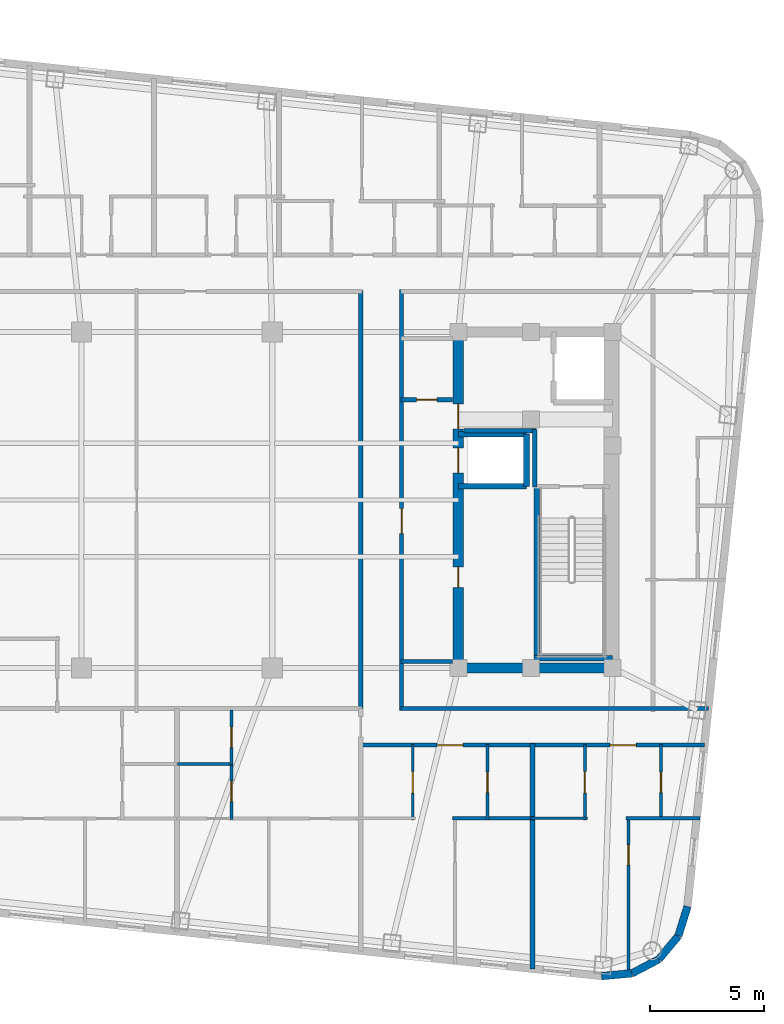
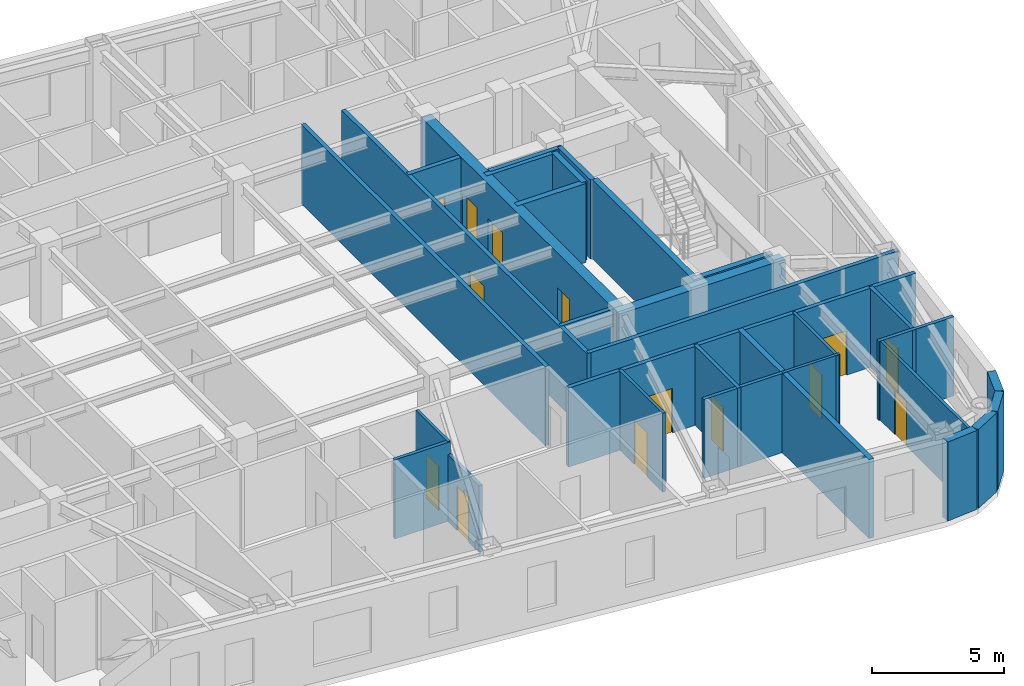
# One storey, part 6 of 11: 31 walls, 14 doors, 14 openings.
"""IFC4 building model written with IfcOpenShell, lengths in metres."""

import ifcopenshell
import ifcopenshell.guid

model = None  # the IFC model being written
_history = None  # IfcOwnerHistory: only IFC2X3 demands one
_inside = {}  # id of a spatial element -> (the spatial element, [elements in it])
_under = {}  # id of a project, library or spatial element -> (it, [spatial elements below it])
_declared = {}  # id of a project -> (the project, [libraries it declares])
_typed = {}  # id of a type object -> (the type object, [elements of that type])
_made_of = {}  # id of a material, layer set ... -> (it, [elements and type objects made of it])


def new_model(schema):
    """Start an empty IFC model of exactly this schema.

    Asked for "IFC4X3", IfcOpenShell would pick the latest addendum, in which some entities
    have other attributes; the version numbers below select the first issue.
    IFC2X3 requires an IfcOwnerHistory on every rooted entity: one is made here for all.
    """
    global model, _history
    if schema == "IFC4X3":
        model = ifcopenshell.file(schema_version=(4, 3, 0, 0))
    else:
        model = ifcopenshell.file(schema=schema)
    _inside.clear()
    _under.clear()
    _declared.clear()
    _typed.clear()
    _made_of.clear()
    _history = None
    if model.schema == "IFC2X3":
        org = make("IfcOrganization", Name="unknown")
        user = make(
            "IfcPersonAndOrganization",
            ThePerson=make("IfcPerson", FamilyName="unknown"),
            TheOrganization=org,
        )
        app = make(
            "IfcApplication",
            ApplicationDeveloper=org,
            Version="unknown",
            ApplicationFullName="unknown",
            ApplicationIdentifier="unknown",
        )
        _history = make(
            "IfcOwnerHistory",
            OwningUser=user,
            OwningApplication=app,
            ChangeAction="ADDED",
            CreationDate=0,
        )
    return model


def make(cls, **values):
    """One entity of the class cls with the attributes given. An attribute that is None is left unset."""
    return model.create_entity(
        cls, **{name: value for name, value in values.items() if value is not None}
    )


def rooted(cls, **values):
    """An entity with a GlobalId (a new one), such as an element, a storey or a relation."""
    return make(cls, GlobalId=ifcopenshell.guid.new(), OwnerHistory=_history, **values)


def si_unit(unit_type, name, prefix=None):
    """IfcSIUnit, for example si_unit("LENGTHUNIT", "METRE", prefix="MILLI")."""
    return make("IfcSIUnit", UnitType=unit_type, Prefix=prefix, Name=name)


def assignment(units):
    """IfcUnitAssignment: the units of a project."""
    return None if units is None else make("IfcUnitAssignment", Units=units)


def point(xyz):
    """IfcCartesianPoint."""
    return None if xyz is None else make("IfcCartesianPoint", Coordinates=xyz)


def direction(xyz):
    """IfcDirection."""
    return None if xyz is None else make("IfcDirection", DirectionRatios=xyz)


def frame(location, z_axis=None, x_axis=None):
    """IfcAxis2Placement3D, a coordinate frame: its origin and axes. An axis left out is left unset."""
    return make(
        "IfcAxis2Placement3D",
        Location=point(location),
        Axis=direction(z_axis),
        RefDirection=direction(x_axis),
    )


def frame_2d(location, x_axis=None):
    """IfcAxis2Placement2D, a coordinate frame in the plane: its origin and x axis."""
    return make(
        "IfcAxis2Placement2D", Location=point(location), RefDirection=direction(x_axis)
    )


def origin():
    """The frame at (0, 0, 0) with its axes left unset."""
    return frame((0.0, 0.0, 0.0))


def place(relative_to, where):
    """IfcLocalPlacement: puts the frame where relative to a parent placement (None: the world)."""
    return make(
        "IfcLocalPlacement", PlacementRelTo=relative_to, RelativePlacement=where
    )


def context(
    kind, dimensions, precision=None, world=None, true_north=None, identifier=None
):
    """IfcGeometricRepresentationContext, for example the 3D "Model" context."""
    return make(
        "IfcGeometricRepresentationContext",
        ContextIdentifier=identifier,
        ContextType=kind,
        CoordinateSpaceDimension=dimensions,
        Precision=precision,
        WorldCoordinateSystem=world,
        TrueNorth=true_north,
    )


def subcontext(parent, identifier, kind, view, scale=None):
    """IfcGeometricRepresentationSubContext, for example "Body" below "Model"."""
    return make(
        "IfcGeometricRepresentationSubContext",
        ContextIdentifier=identifier,
        ContextType=kind,
        ParentContext=parent,
        TargetScale=scale,
        TargetView=view,
    )


def project(units=None, contexts=None):
    """IfcProject with its units and contexts."""
    return rooted(
        "IfcProject",
        Name="project",
        RepresentationContexts=contexts,
        UnitsInContext=assignment(units),
    )


def spatial(cls, under=None, at=None, **own):
    """A site, building, storey or space (cls), placed at a placement, below another one or the project."""
    s = rooted(cls, ObjectPlacement=at, **own)
    if under is not None:
        _under.setdefault(under.id(), (under, []))[1].append(s)
    return s


def profile(cls, at=None, kind="AREA", **sizes):
    """A parametric profile (cls). Its sizes go by their IFC names, for example OverallWidth=200.0."""
    return make(cls, ProfileType=kind, Position=at, **sizes)


def rectangle(**sizes):
    """IfcRectangleProfileDef."""
    return profile("IfcRectangleProfileDef", **sizes)


def extrude(swept, where, along, depth):
    """IfcExtrudedAreaSolid: the profile swept, set in the frame where, extruded along a direction by depth."""
    return make(
        "IfcExtrudedAreaSolid",
        SweptArea=swept,
        Position=where,
        ExtrudedDirection=direction(along),
        Depth=depth,
    )


def shape(context_of_items, identifier, shape_type, items):
    """IfcShapeRepresentation: the items that make up one representation, for example the "Body"."""
    return make(
        "IfcShapeRepresentation",
        ContextOfItems=context_of_items,
        RepresentationIdentifier=identifier,
        RepresentationType=shape_type,
        Items=items,
    )


def material(Name=None, Category=None):
    """IfcMaterial."""
    return make("IfcMaterial", Name=Name, Category=Category)


def layer(
    of_material, thickness, ventilated=None, Name=None, Category=None, Priority=None
):
    """IfcMaterialLayer: one layer of a wall or slab, of a material (None: an air gap)."""
    return make(
        "IfcMaterialLayer",
        Material=of_material,
        LayerThickness=thickness,
        IsVentilated=ventilated,
        Name=Name,
        Category=Category,
        Priority=Priority,
    )


def layer_set(layers, Name=None):
    """IfcMaterialLayerSet."""
    return make("IfcMaterialLayerSet", MaterialLayers=layers, LayerSetName=Name)


def made_of(thing, what):
    """Note that an element or type object is made of a material, layer set ...; save() writes the relation."""
    if what is not None:
        _made_of.setdefault(what.id(), (what, []))[1].append(thing)
    return thing


def type_object(cls, material=None, **own):
    """A type object (cls), such as IfcWallType, which elements share."""
    return made_of(rooted(cls, **own), material)


def element(
    cls,
    number,
    at=None,
    inside=None,
    cuts=None,
    type_object=None,
    material=None,
    context=None,
    identifier="Body",
    shape_type=None,
    held_by="IfcProductDefinitionShape",
    body=None,
    shapes=None,
    **own,
):
    """One element of the class cls, such as IfcWall. Its Tag is "e" and its number.

    at: its placement. inside: the storey or other place that contains it. cuts: it is an
    opening in that element (IfcRelVoidsElement). A single representation is given by context,
    identifier, shape_type and body (its items); several are given by shapes. held_by: the class
    of the entity that holds the representations. save() writes the other relations.
    """
    e = rooted(cls, Tag="e%d" % number, ObjectPlacement=at, **own)
    if body is not None:
        shapes = [shape(context, identifier, shape_type, body)]
    if shapes is not None:
        e.Representation = make(held_by, Representations=shapes)
    if inside is not None:
        _inside.setdefault(inside.id(), (inside, []))[1].append(e)
    if cuts is not None:
        rooted(
            "IfcRelVoidsElement", RelatingBuildingElement=cuts, RelatedOpeningElement=e
        )
    if type_object is not None:
        _typed.setdefault(type_object.id(), (type_object, []))[1].append(e)
    return made_of(e, material)


def fill(opening, filler):
    """IfcRelFillsElement: the door or window that sits in an opening."""
    return rooted(
        "IfcRelFillsElement",
        RelatingOpeningElement=opening,
        RelatedBuildingElement=filler,
    )


def aggregate(whole, parts):
    """IfcRelAggregates: a whole, such as a stair, and the parts it consists of."""
    return rooted("IfcRelAggregates", RelatingObject=whole, RelatedObjects=parts)


def save(model, path):
    """Write the relations noted so far, then the file.

    IfcRelAggregates (storeys below a building ...), IfcRelContainedInSpatialStructure (elements
    in a storey), IfcRelDefinesByType, IfcRelAssociatesMaterial and IfcRelDeclares: one each for
    every whole, place, type object, material and project.
    """
    for whole, parts in _under.values():
        aggregate(whole, parts)
    for where, things in _inside.values():
        rooted(
            "IfcRelContainedInSpatialStructure",
            RelatedElements=things,
            RelatingStructure=where,
        )
    for kind, things in _typed.values():
        rooted("IfcRelDefinesByType", RelatedObjects=things, RelatingType=kind)
    for what, things in _made_of.values():
        rooted("IfcRelAssociatesMaterial", RelatedObjects=things, RelatingMaterial=what)
    for by, libraries in _declared.values():
        rooted("IfcRelDeclares", RelatingContext=by, RelatedDefinitions=libraries)
    model.write(path)


model = new_model("IFC4")

# Units and contexts
model_context = context("Model", 3, precision=1e-05, world=origin(), true_north=direction((0.0, 1.0)))
body_context = subcontext(model_context, "Body", "Model", "MODEL_VIEW")
ifc_project = project(units=[si_unit("LENGTHUNIT", "METRE"), si_unit("AREAUNIT", "SQUARE_METRE"), si_unit("VOLUMEUNIT", "CUBIC_METRE"), si_unit("PLANEANGLEUNIT", "RADIAN"), si_unit("MASSUNIT", "GRAM", prefix="KILO")], contexts=[model_context])

# Site, building, storey
site_placement = place(None, origin())
site = spatial("IfcSite", under=ifc_project, at=site_placement, CompositionType="ELEMENT")
building_placement = place(site_placement, origin())
building = spatial("IfcBuilding", under=site, at=building_placement, Name="Voryun Gate Residences", CompositionType="ELEMENT")
storey_placement = place(building_placement, frame((0.0, 0.0, 283.39990234375)))
storey = spatial("IfcBuildingStorey", under=building, at=storey_placement, Name="L70", CompositionType="ELEMENT", Elevation=283.39990234375)

# Wall
ifc_material_1 = material(Name="Concrete C50/60", Category="concrete")
ifc_layer_1 = layer(ifc_material_1, 0.449951171875, Name="CW_CORE_450")
ifc_layer_set_1 = layer_set([ifc_layer_1], Name="Concrete C50/60")
wall_type_1 = type_object("IfcWallType", Name="CW_CORE_450", PredefinedType="SHEAR", material=ifc_layer_set_1)
wall_1_placement = place(storey_placement, frame((12.175048828125, -7.39990234375, 0.0), z_axis=(0.0, 0.0, 1.0), x_axis=(1.0, 0.0, 0.0)))
element("IfcWall", 1, at=wall_1_placement, inside=storey, type_object=wall_type_1, Name="L70 Core shear wall CW-L70-ES", PredefinedType="SHEAR", context=body_context, shape_type="SweptSolid", body=[
    extrude(rectangle(XDim=7.25, YDim=0.449951171875, at=frame_2d((3.625, 0.0))), origin(), (0.0, 0.0, 1.0), 3.650146484375),
])

# Wall, openings, doors
wall_2_placement = place(storey_placement, frame((12.39990234375, -7.39990234375, 0.0), z_axis=(0.0, 0.0, 1.0), x_axis=(0.0, 1.0, 0.0)))
wall_2 = element("IfcWall", 2, at=wall_2_placement, inside=storey, type_object=wall_type_1, Name="L70 Core shear wall CW-L70-EW", PredefinedType="SHEAR", context=body_context, shape_type="SweptSolid", body=[
    extrude(rectangle(XDim=14.7998046875, YDim=0.449951171875, at=frame_2d((7.39990234375, 0.0))), origin(), (0.0, 0.0, 1.0), 3.650146484375),
])
opening_1_placement = place(wall_2_placement, frame((8.60009765625, 0.0, 0.0)))
opening_1 = element("IfcOpeningElement", 3, at=opening_1_placement, cuts=wall_2, Name="Opening LD2", PredefinedType="OPENING", context=body_context, shape_type="SweptSolid", body=[
    extrude(rectangle(XDim=1.10009765625, YDim=2.050048828125, at=frame_2d((0.550048828125, 1.02490234375))), frame((0.0, 0.235107421875, 0.0), z_axis=(0.0, -1.0, 0.0), x_axis=(1.0, 0.0, 0.0)), (0.0, 0.0, 1.0), 0.469970703125),
])
opening_2_placement = place(wall_2_placement, frame((10.530029296875, 0.0, 0.0)))
opening_2 = element("IfcOpeningElement", 4, at=opening_2_placement, cuts=wall_2, Name="Opening D-FD60-2", PredefinedType="OPENING", context=body_context, shape_type="SweptSolid", body=[
    extrude(rectangle(XDim=1.10009765625, YDim=2.050048828125, at=frame_2d((0.550048828125, 1.02490234375))), frame((0.0, 0.235107421875, 0.0), z_axis=(0.0, -1.0, 0.0), x_axis=(1.0, 0.0, 0.0)), (0.0, 0.0, 1.0), 0.469970703125),
])
opening_3_placement = place(wall_2_placement, frame((3.550048828125, 0.0, 0.0)))
opening_3 = element("IfcOpeningElement", 5, at=opening_3_placement, cuts=wall_2, Name="Opening D-FD60-4", PredefinedType="OPENING", context=body_context, shape_type="SweptSolid", body=[
    extrude(rectangle(XDim=0.89990234375, YDim=2.050048828125, at=frame_2d((0.449951171875, 1.02490234375))), frame((0.0, 0.235107421875, 0.0), z_axis=(0.0, -1.0, 0.0), x_axis=(1.0, 0.0, 0.0)), (0.0, 0.0, 1.0), 0.469970703125),
])
ifc_material_2 = material(Name="Painted steel fire door", Category="steel")
door_type_1 = type_object("IfcDoorType", Name="DR_FD60_FFLOB_1100", OperationType="NOTDEFINED", PredefinedType="DOOR", material=ifc_material_2)
door_1_placement = place(opening_2_placement, origin())
door_1 = element("IfcDoor", 6, at=door_1_placement, inside=storey, type_object=door_type_1, Name="Door DR-L70-CLOB-E", OperationType="SINGLE_SWING_RIGHT", OverallHeight=2.050048828125, OverallWidth=1.10009765625, PredefinedType="DOOR", context=body_context, shape_type="SweptSolid", body=[
    extrude(rectangle(XDim=1.10009765625, YDim=2.050048828125, at=frame_2d((0.550048828125, 1.02490234375))), frame((0.0, 0.02490234375, 0.0), z_axis=(0.0, -1.0, 0.0), x_axis=(1.0, 0.0, 0.0)), (0.0, 0.0, 1.0), 0.050048828125),
])
fill(opening_2, door_1)
ifc_material_3 = material(Name="Painted steel fire door", Category="steel")
door_type_2 = type_object("IfcDoorType", Name="DR_FD60_RISER_900", OperationType="NOTDEFINED", PredefinedType="DOOR", material=ifc_material_3)
door_2_placement = place(opening_3_placement, origin())
door_2 = element("IfcDoor", 7, at=door_2_placement, inside=storey, type_object=door_type_2, Name="Door DR-L70-RECE-HI", OperationType="SINGLE_SWING_RIGHT", OverallHeight=2.050048828125, OverallWidth=0.89990234375, PredefinedType="DOOR", context=body_context, shape_type="SweptSolid", body=[
    extrude(rectangle(XDim=0.89990234375, YDim=2.050048828125, at=frame_2d((0.449951171875, 1.02490234375))), frame((0.0, 0.02490234375, 0.0), z_axis=(0.0, -1.0, 0.0), x_axis=(1.0, 0.0, 0.0)), (0.0, 0.0, 1.0), 0.050048828125),
])
fill(opening_3, door_2)
ifc_material_4 = material(Name="Anodised aluminium", Category="aluminium")
door_type_3 = type_object("IfcDoorType", Name="DR_LD_PASS_1100", OperationType="NOTDEFINED", PredefinedType="DOOR", material=ifc_material_4)
door_3_placement = place(opening_1_placement, origin())
door_3 = element("IfcDoor", 8, at=door_3_placement, inside=storey, type_object=door_type_3, Name="Lift EL-P8 sliding landing door L70", OperationType="SLIDING_TO_LEFT", OverallHeight=2.050048828125, OverallWidth=1.10009765625, PredefinedType="DOOR", context=body_context, shape_type="SweptSolid", body=[
    extrude(rectangle(XDim=1.10009765625, YDim=2.050048828125, at=frame_2d((0.550048828125, 1.02490234375))), frame((0.0, 0.02490234375, 0.0), z_axis=(0.0, -1.0, 0.0), x_axis=(1.0, 0.0, 0.0)), (0.0, 0.0, 1.0), 0.050048828125),
])
fill(opening_1, door_3)

# Wall
ifc_material_5 = material(Name="Gypsum acoustic fireboard")
ifc_layer_2 = layer(ifc_material_5, 0.179931640625, Name="W_CORR_RATED_180")
ifc_layer_set_2 = layer_set([ifc_layer_2], Name="Gypsum acoustic fireboard")
wall_type_2 = type_object("IfcWallType", Name="W_CORR_RATED_180", PredefinedType="PARTITIONING", material=ifc_layer_set_2)
wall_3_placement = place(storey_placement, frame((9.8798828125, -7.1201171875, 0.0), z_axis=(0.0, 0.0, 1.0), x_axis=(1.0, 0.0, 0.0)))
element("IfcWall", 9, at=wall_3_placement, inside=storey, type_object=wall_type_2, Name="Partition wall WP-L70-PLBS-E", PredefinedType="PARTITIONING", context=body_context, shape_type="SweptSolid", body=[
    extrude(rectangle(XDim=2.27001953125, YDim=0.179931640625, at=frame_2d((1.135009765625, 0.0))), origin(), (0.0, 0.0, 1.0), 3.650146484375),
])

# Wall, opening, door
wall_4_placement = place(storey_placement, frame((9.89990234375, -9.280029296875, 0.0), z_axis=(0.0, 0.0, 1.0), x_axis=(0.0, 1.0, 0.0)))
wall_4 = element("IfcWall", 10, at=wall_4_placement, inside=storey, type_object=wall_type_2, Name="Partition wall WP-L70-PLBE-FULL", PredefinedType="PARTITIONING", context=body_context, shape_type="SweptSolid", body=[
    extrude(rectangle(XDim=18.56005859375, YDim=0.179931640625, at=frame_2d((9.280029296875, 0.0))), origin(), (0.0, 0.0, 1.0), 3.650146484375),
])
opening_4_placement = place(wall_4_placement, frame((7.802001953125, 0.0, 0.0)))
opening_4 = element("IfcOpeningElement", 11, at=opening_4_placement, cuts=wall_4, Name="Opening D-FD60-2", PredefinedType="OPENING", context=body_context, shape_type="SweptSolid", body=[
    extrude(rectangle(XDim=1.10009765625, YDim=2.050048828125, at=frame_2d((0.550048828125, 1.02490234375))), frame((0.0, 0.099853515625, 0.0), z_axis=(0.0, -1.0, 0.0), x_axis=(1.0, 0.0, 0.0)), (0.0, 0.0, 1.0), 0.199951171875),
])
door_4_placement = place(opening_4_placement, origin())
door_4 = element("IfcDoor", 12, at=door_4_placement, inside=storey, type_object=door_type_1, Name="Door DR-L70-PLBE-COR", OperationType="SINGLE_SWING_RIGHT", OverallHeight=2.050048828125, OverallWidth=1.10009765625, PredefinedType="DOOR", context=body_context, shape_type="SweptSolid", body=[
    extrude(rectangle(XDim=1.10009765625, YDim=2.050048828125, at=frame_2d((0.550048828125, 1.02490234375))), frame((0.0, 0.02490234375, 0.0), z_axis=(0.0, -1.0, 0.0), x_axis=(1.0, 0.0, 0.0)), (0.0, 0.0, 1.0), 0.050048828125),
])
fill(opening_4, door_4)

# Walls
wall_5_placement = place(storey_placement, frame((9.8798828125, -9.18994140625, 0.0), z_axis=(0.0, 0.0, 1.0), x_axis=(1.0, 0.0, 0.0)))
element("IfcWall", 13, at=wall_5_placement, inside=storey, type_object=wall_type_2, Name="Partition wall WP-L70-CWING-ES", PredefinedType="PARTITIONING", context=body_context, shape_type="SweptSolid", body=[
    extrude(rectangle(XDim=13.531982421875, YDim=0.179931640625, at=frame_2d((6.76611328125, 0.0))), origin(), (0.0, 0.0, 1.0), 3.650146484375),
])
wall_6_placement = place(storey_placement, frame((8.10009765625, -9.22998046875, 0.0), z_axis=(0.0, 0.0, 1.0), x_axis=(0.0, 1.0, 0.0)))
element("IfcWall", 14, at=wall_6_placement, inside=storey, type_object=wall_type_2, Name="Partition wall WP-L70-Z3E", PredefinedType="PARTITIONING", context=body_context, shape_type="SweptSolid", body=[
    extrude(rectangle(XDim=18.4599609375, YDim=0.179931640625, at=frame_2d((9.22998046875, 0.0))), origin(), (0.0, 0.0, 1.0), 3.650146484375),
])

# Wall, openings, doors
wall_7_placement = place(storey_placement, frame((8.080078125, -10.800048828125, 0.0), z_axis=(0.0, 0.0, 1.0), x_axis=(1.0, 0.0, 0.0)))
wall_7 = element("IfcWall", 15, at=wall_7_placement, inside=storey, type_object=wall_type_2, Name="Partition wall WP-L70-SCORR-E", PredefinedType="PARTITIONING", context=body_context, shape_type="SweptSolid", body=[
    extrude(rectangle(XDim=15.16259765625, YDim=0.179931640625, at=frame_2d((7.581298828125, 0.0))), origin(), (0.0, 0.0, 1.0), 3.650146484375),
])
opening_5_placement = place(wall_7_placement, frame((3.382568359375, 0.0, 0.0)))
opening_5 = element("IfcOpeningElement", 16, at=opening_5_placement, cuts=wall_7, Name="Opening D-UNIT-1", PredefinedType="OPENING", context=body_context, shape_type="SweptSolid", body=[
    extrude(rectangle(XDim=1.14990234375, YDim=2.050048828125, at=frame_2d((0.574951171875, 1.02490234375))), frame((0.0, 0.099853515625, 0.0), z_axis=(0.0, -1.0, 0.0), x_axis=(1.0, 0.0, 0.0)), (0.0, 0.0, 1.0), 0.199951171875),
])
opening_6_placement = place(wall_7_placement, frame((10.99560546875, 0.0, 0.0)))
opening_6 = element("IfcOpeningElement", 17, at=opening_6_placement, cuts=wall_7, Name="Opening D-UNIT-1", PredefinedType="OPENING", context=body_context, shape_type="SweptSolid", body=[
    extrude(rectangle(XDim=1.14990234375, YDim=2.050048828125, at=frame_2d((0.574951171875, 1.02490234375))), frame((0.0, 0.099853515625, 0.0), z_axis=(0.0, -1.0, 0.0), x_axis=(1.0, 0.0, 0.0)), (0.0, 0.0, 1.0), 0.199951171875),
])
ifc_material_6 = material(Name="Armoured timber-clad fire door", Category="wood")
door_type_4 = type_object("IfcDoorType", Name="DR_UNIT_ENTRY_1150", OperationType="NOTDEFINED", PredefinedType="DOOR", material=ifc_material_6)
door_5_placement = place(opening_5_placement, origin())
door_5 = element("IfcDoor", 18, at=door_5_placement, inside=storey, type_object=door_type_4, Name="Door DR-L70-SENT-6", OperationType="SINGLE_SWING_LEFT", OverallHeight=2.050048828125, OverallWidth=1.14990234375, PredefinedType="DOOR", context=body_context, shape_type="SweptSolid", body=[
    extrude(rectangle(XDim=1.14990234375, YDim=2.050048828125, at=frame_2d((0.574951171875, 1.02490234375))), frame((0.0, 0.02490234375, 0.0), z_axis=(0.0, -1.0, 0.0), x_axis=(1.0, 0.0, 0.0)), (0.0, 0.0, 1.0), 0.050048828125),
])
fill(opening_5, door_5)
door_6_placement = place(opening_6_placement, origin())
door_6 = element("IfcDoor", 19, at=door_6_placement, inside=storey, type_object=door_type_4, Name="Door DR-L70-SENT-7", OperationType="SINGLE_SWING_RIGHT", OverallHeight=2.050048828125, OverallWidth=1.14990234375, PredefinedType="DOOR", context=body_context, shape_type="SweptSolid", body=[
    extrude(rectangle(XDim=1.14990234375, YDim=2.050048828125, at=frame_2d((0.574951171875, 1.02490234375))), frame((0.0, 0.02490234375, 0.0), z_axis=(0.0, -1.0, 0.0), x_axis=(1.0, 0.0, 0.0)), (0.0, 0.0, 1.0), 0.050048828125),
])
fill(opening_6, door_6)

# Walls
ifc_material_7 = material(Name="Charcoal terracotta masonry", Category="masonry")
ifc_layer_3 = layer(ifc_material_7, 0.340087890625, Name="W_EXT_TERRACOTTA_340")
ifc_layer_set_3 = layer_set([ifc_layer_3], Name="Charcoal terracotta masonry")
wall_type_3 = type_object("IfcWallType", Name="W_EXT_TERRACOTTA_340", PredefinedType="ELEMENTEDWALL", material=ifc_layer_set_3)
wall_8_placement = place(storey_placement, frame((22.495849609375, -17.904541015625, 0.0), z_axis=(0.0, 0.0, 1.0), x_axis=(-0.296416228123, -0.955058856671, 0.0)))
element("IfcWall", 20, at=wall_8_placement, inside=storey, type_object=wall_type_3, Name="Exterior wall WEXT-L70-17", PredefinedType="ELEMENTEDWALL", context=body_context, shape_type="SweptSolid", body=[
    extrude(rectangle(XDim=1.35400390625, YDim=0.340087890625, at=frame_2d((0.677001953125, 0.0))), origin(), (0.0, 0.0, 1.0), 3.650146484375),
])
wall_9_placement = place(storey_placement, frame((22.094482421875, -19.19775390625, 0.0), z_axis=(0.0, 0.0, 1.0), x_axis=(-0.639501603217, -0.768789762863, 0.0)))
element("IfcWall", 21, at=wall_9_placement, inside=storey, type_object=wall_type_3, Name="Exterior wall WEXT-L70-18", PredefinedType="ELEMENTEDWALL", context=body_context, shape_type="SweptSolid", body=[
    extrude(rectangle(XDim=1.3369140625, YDim=0.340087890625, at=frame_2d((0.66845703125, 0.0))), origin(), (0.0, 0.0, 1.0), 3.650146484375),
])
wall_10_placement = place(storey_placement, frame((21.239501953125, -20.2255859375, 0.0), z_axis=(0.0, 0.0, 1.0), x_axis=(-0.884922182678, -0.465738908193, 0.0)))
element("IfcWall", 22, at=wall_10_placement, inside=storey, type_object=wall_type_3, Name="Exterior wall WEXT-L70-19", PredefinedType="ELEMENTEDWALL", context=body_context, shape_type="SweptSolid", body=[
    extrude(rectangle(XDim=1.337158203125, YDim=0.340087890625, at=frame_2d((0.66845703125, 0.0))), origin(), (0.0, 0.0, 1.0), 3.650146484375),
])
wall_11_placement = place(storey_placement, frame((20.05615234375, -20.848388671875, 0.0), z_axis=(0.0, 0.0, 1.0), x_axis=(-0.995813013343, -0.091413579172, 0.0)))
element("IfcWall", 23, at=wall_11_placement, inside=storey, type_object=wall_type_3, Name="Exterior wall WEXT-L70-20", PredefinedType="ELEMENTEDWALL", context=body_context, shape_type="SweptSolid", body=[
    extrude(rectangle(XDim=1.35400390625, YDim=0.340087890625, at=frame_2d((0.677001953125, 0.0))), origin(), (0.0, 0.0, 1.0), 3.650146484375),
])
ifc_material_8 = material(Name="Concrete C40/50", Category="concrete")
ifc_layer_4 = layer(ifc_material_8, 0.199951171875, Name="W_FF_LOBBY_200")
ifc_layer_set_4 = layer_set([ifc_layer_4], Name="Concrete C40/50")
wall_type_4 = type_object("IfcWallType", Name="W_FF_LOBBY_200", PredefinedType="PARTITIONING", material=ifc_layer_set_4)
wall_12_placement = place(storey_placement, frame((15.760009765625, 0.580078125, 0.0), z_axis=(0.0, 0.0, 1.0), x_axis=(0.0, 1.0, 0.0)))
element("IfcWall", 24, at=wall_12_placement, inside=storey, type_object=wall_type_4, Name="Partition wall WP-L70-FFP0-E", PredefinedType="PARTITIONING", context=body_context, shape_type="SweptSolid", body=[
    extrude(rectangle(XDim=2.52001953125, YDim=0.199951171875, at=frame_2d((1.260009765625, 0.0))), origin(), (0.0, 0.0, 1.0), 3.650146484375),
])
wall_13_placement = place(storey_placement, frame((12.659912109375, 3.06005859375, 0.0), z_axis=(0.0, 0.0, 1.0), x_axis=(1.0, 0.0, 0.0)))
element("IfcWall", 25, at=wall_13_placement, inside=storey, type_object=wall_type_4, Name="Partition wall WP-L70-FFPS-E", PredefinedType="PARTITIONING", context=body_context, shape_type="SweptSolid", body=[
    extrude(rectangle(XDim=3.16015625, YDim=0.199951171875, at=frame_2d((1.580078125, 0.0))), origin(), (0.0, 0.0, 1.0), 3.650146484375),
])

# Wall, opening, door
wall_14_placement = place(storey_placement, frame((9.8798828125, 4.409912109375, 0.0), z_axis=(0.0, 0.0, 1.0), x_axis=(1.0, 0.0, 0.0)))
wall_14 = element("IfcWall", 26, at=wall_14_placement, inside=storey, type_object=wall_type_4, Name="Partition wall WP-L70-CSFLKS-E", PredefinedType="PARTITIONING", context=body_context, shape_type="SweptSolid", body=[
    extrude(rectangle(XDim=2.27001953125, YDim=0.199951171875, at=frame_2d((1.135009765625, 0.0))), origin(), (0.0, 0.0, 1.0), 3.650146484375),
])
opening_7_placement = place(wall_14_placement, frame((0.68505859375, 0.0, 0.0)))
opening_7 = element("IfcOpeningElement", 27, at=opening_7_placement, cuts=wall_14, Name="Opening D-FD60-4", PredefinedType="OPENING", context=body_context, shape_type="SweptSolid", body=[
    extrude(rectangle(XDim=0.89990234375, YDim=2.050048828125, at=frame_2d((0.449951171875, 1.02490234375))), frame((0.0, 0.110107421875, 0.0), z_axis=(0.0, -1.0, 0.0), x_axis=(1.0, 0.0, 0.0)), (0.0, 0.0, 1.0), 0.219970703125),
])
door_7_placement = place(opening_7_placement, origin())
door_7 = element("IfcDoor", 28, at=door_7_placement, inside=storey, type_object=door_type_2, Name="Door DR-L70-CSFLK-E", OperationType="SINGLE_SWING_RIGHT", OverallHeight=2.050048828125, OverallWidth=0.89990234375, PredefinedType="DOOR", context=body_context, shape_type="SweptSolid", body=[
    extrude(rectangle(XDim=0.89990234375, YDim=2.050048828125, at=frame_2d((0.449951171875, 1.02490234375))), frame((0.0, 0.02490234375, 0.0), z_axis=(0.0, -1.0, 0.0), x_axis=(1.0, 0.0, 0.0)), (0.0, 0.0, 1.0), 0.050048828125),
])
fill(opening_7, door_7)

# Walls
ifc_material_9 = material(Name="Concrete C40/50", Category="concrete")
ifc_layer_5 = layer(ifc_material_9, 0.219970703125, Name="W_PARTY_ACOUSTIC_220")
ifc_layer_set_5 = layer_set([ifc_layer_5], Name="Concrete C40/50")
wall_type_5 = type_object("IfcWallType", Name="W_PARTY_ACOUSTIC_220", PredefinedType="PARTITIONING", material=ifc_layer_set_5)
wall_15_placement = place(storey_placement, frame((15.6640625, -20.652099609375, 0.0), z_axis=(0.0, 0.0, 1.0), x_axis=(0.0, 1.0, 0.0)))
element("IfcWall", 29, at=wall_15_placement, inside=storey, type_object=wall_type_5, Name="Partition wall WP-L70-SPTY-6", PredefinedType="PARTITIONING", context=body_context, shape_type="SweptSolid", body=[
    extrude(rectangle(XDim=9.93212890625, YDim=0.219970703125, at=frame_2d((4.966064453125, 0.0))), origin(), (0.0, 0.0, 1.0), 3.650146484375),
])
ifc_material_10 = material(Name="Concrete C50/60", Category="concrete")
ifc_layer_6 = layer(ifc_material_10, 0.25, Name="W_SHAFT_RC250")
ifc_layer_set_6 = layer_set([ifc_layer_6], Name="Concrete C50/60")
wall_type_6 = type_object("IfcWallType", Name="W_SHAFT_RC250", PredefinedType="SOLIDWALL", material=ifc_layer_set_6)
wall_16_placement = place(storey_placement, frame((15.860107421875, -7.0849609375, 0.0), z_axis=(0.0, 0.0, 1.0), x_axis=(0.0, 1.0, 0.0)))
element("IfcWall", 30, at=wall_16_placement, inside=storey, type_object=wall_type_6, Name="L70 Stair shaft structural wall E-STL", PredefinedType="SOLIDWALL", context=body_context, shape_type="SweptSolid", body=[
    extrude(rectangle(XDim=7.68505859375, YDim=0.25, at=frame_2d((3.842529296875, 0.0))), origin(), (0.0, 0.0, 1.0), 3.650146484375),
])
wall_17_placement = place(storey_placement, frame((15.739990234375, -6.965087890625, 0.0), z_axis=(0.0, 0.0, 1.0), x_axis=(1.0, 0.0, 0.0)))
element("IfcWall", 31, at=wall_17_placement, inside=storey, type_object=wall_type_6, Name="L70 Stair shaft structural wall E-STS", PredefinedType="SOLIDWALL", context=body_context, shape_type="SweptSolid", body=[
    extrude(rectangle(XDim=3.4599609375, YDim=0.25, at=frame_2d((1.72998046875, 0.0))), origin(), (0.0, 0.0, 1.0), 3.650146484375),
])
wall_18_placement = place(storey_placement, frame((12.39990234375, 0.60009765625, 0.0), z_axis=(0.0, 0.0, 1.0), x_axis=(1.0, 0.0, 0.0)))
element("IfcWall", 32, at=wall_18_placement, inside=storey, type_object=wall_type_6, Name="Lift shaft wall WSH-L70-EL-P8-S", PredefinedType="SOLIDWALL", context=body_context, shape_type="SweptSolid", body=[
    extrude(rectangle(XDim=3.0, YDim=0.25, at=frame_2d((1.5, 0.0))), origin(), (0.0, 0.0, 1.0), 3.650146484375),
])
wall_19_placement = place(storey_placement, frame((15.39990234375, 0.60009765625, 0.0), z_axis=(0.0, 0.0, 1.0), x_axis=(0.0, 1.0, 0.0)))
element("IfcWall", 33, at=wall_19_placement, inside=storey, type_object=wall_type_6, Name="Lift shaft wall WSH-L70-EL-P8-E", PredefinedType="SOLIDWALL", context=body_context, shape_type="SweptSolid", body=[
    extrude(rectangle(XDim=2.2998046875, YDim=0.25, at=frame_2d((1.14990234375, 0.0))), origin(), (0.0, 0.0, 1.0), 3.650146484375),
])
wall_20_placement = place(storey_placement, frame((15.39990234375, 2.89990234375, 0.0), z_axis=(0.0, 0.0, 1.0), x_axis=(-1.0, 0.0, 0.0)))
element("IfcWall", 34, at=wall_20_placement, inside=storey, type_object=wall_type_6, Name="Lift shaft wall WSH-L70-EL-P8-N", PredefinedType="SOLIDWALL", context=body_context, shape_type="SweptSolid", body=[
    extrude(rectangle(XDim=3.0, YDim=0.25, at=frame_2d((1.5, 0.0))), origin(), (0.0, 0.0, 1.0), 3.650146484375),
])

# Wall, opening, door
ifc_material_11 = material(Name="Gypsum acoustic partition")
ifc_layer_7 = layer(ifc_material_11, 0.125, Name="W_UNIT_PART_125")
ifc_layer_set_7 = layer_set([ifc_layer_7], Name="Gypsum acoustic partition")
wall_type_7 = type_object("IfcWallType", Name="W_UNIT_PART_125", PredefinedType="PARTITIONING", material=ifc_layer_set_7)
wall_21_placement = place(storey_placement, frame((10.389892578125, -14.10009765625, 0.0), z_axis=(0.0, 0.0, 1.0), x_axis=(0.0, 1.0, 0.0)))
wall_21 = element("IfcWall", 35, at=wall_21_placement, inside=storey, type_object=wall_type_7, Name="Partition wall WP-L70-S6-IVK", PredefinedType="PARTITIONING", context=body_context, shape_type="SweptSolid", body=[
    extrude(rectangle(XDim=3.320068359375, YDim=0.125, at=frame_2d((1.66015625, 0.0))), origin(), (0.0, 0.0, 1.0), 3.650146484375),
])
opening_8_placement = place(wall_21_placement, frame((1.18505859375, 0.0, 0.0)))
opening_8 = element("IfcOpeningElement", 36, at=opening_8_placement, cuts=wall_21, Name="Opening D-INT-1", PredefinedType="OPENING", context=body_context, shape_type="SweptSolid", body=[
    extrude(rectangle(XDim=0.949951171875, YDim=2.050048828125, at=frame_2d((0.47509765625, 1.02490234375))), frame((0.0, 0.072509765625, 0.0), z_axis=(0.0, -1.0, 0.0), x_axis=(1.0, 0.0, 0.0)), (0.0, 0.0, 1.0), 0.14501953125),
])
ifc_material_12 = material(Name="Architectural oak veneer")
door_type_5 = type_object("IfcDoorType", Name="DR_INT_ROOM_950", OperationType="NOTDEFINED", PredefinedType="DOOR", material=ifc_material_12)
door_8_placement = place(opening_8_placement, origin())
door_8 = element("IfcDoor", 37, at=door_8_placement, inside=storey, type_object=door_type_5, Name="Door DR-L70-S6-DK", OperationType="SINGLE_SWING_LEFT", OverallHeight=2.050048828125, OverallWidth=0.949951171875, PredefinedType="DOOR", context=body_context, shape_type="SweptSolid", body=[
    extrude(rectangle(XDim=0.949951171875, YDim=2.050048828125, at=frame_2d((0.47509765625, 1.02490234375))), frame((0.0, 0.02490234375, 0.0), z_axis=(0.0, -1.0, 0.0), x_axis=(1.0, 0.0, 0.0)), (0.0, 0.0, 1.0), 0.050048828125),
])
fill(opening_8, door_8)

wall_22_placement = place(storey_placement, frame((19.89697265625, -21.013427734375, 0.0), z_axis=(0.0, 0.0, 1.0), x_axis=(0.0, 1.0, 0.0)))
wall_22 = element("IfcWall", 38, at=wall_22_placement, inside=storey, type_object=wall_type_7, Name="Partition wall WP-L70-S7-OVR", PredefinedType="PARTITIONING", context=body_context, shape_type="SweptSolid", body=[
    extrude(rectangle(XDim=7.073486328125, YDim=0.125, at=frame_2d((3.53662109375, 0.0))), origin(), (0.0, 0.0, 1.0), 3.650146484375),
])
opening_9_placement = place(wall_22_placement, frame((4.92578125, 0.0, 0.0)))
opening_9 = element("IfcOpeningElement", 39, at=opening_9_placement, cuts=wall_22, Name="Opening D-INT-2", PredefinedType="OPENING", context=body_context, shape_type="SweptSolid", body=[
    extrude(rectangle(XDim=0.89990234375, YDim=2.050048828125, at=frame_2d((0.449951171875, 1.02490234375))), frame((0.0, 0.072509765625, 0.0), z_axis=(0.0, -1.0, 0.0), x_axis=(1.0, 0.0, 0.0)), (0.0, 0.0, 1.0), 0.14501953125),
])
ifc_material_13 = material(Name="Architectural oak veneer")
door_type_6 = type_object("IfcDoorType", Name="DR_INT_BATH_900", OperationType="NOTDEFINED", PredefinedType="DOOR", material=ifc_material_13)
door_9_placement = place(opening_9_placement, origin())
door_9 = element("IfcDoor", 40, at=door_9_placement, inside=storey, type_object=door_type_6, Name="Door DR-L70-S7-DMB", OperationType="SINGLE_SWING_RIGHT", OverallHeight=2.050048828125, OverallWidth=0.89990234375, PredefinedType="DOOR", context=body_context, shape_type="SweptSolid", body=[
    extrude(rectangle(XDim=0.89990234375, YDim=2.050048828125, at=frame_2d((0.449951171875, 1.02490234375))), frame((0.0, 0.02490234375, 0.0), z_axis=(0.0, -1.0, 0.0), x_axis=(1.0, 0.0, 0.0)), (0.0, 0.0, 1.0), 0.050048828125),
])
fill(opening_9, door_9)

wall_23_placement = place(storey_placement, frame((17.97412109375, -14.10009765625, 0.0), z_axis=(0.0, 0.0, 1.0), x_axis=(0.0, 1.0, 0.0)))
wall_23 = element("IfcWall", 41, at=wall_23_placement, inside=storey, type_object=wall_type_7, Name="Partition wall WP-L70-S7-IVK", PredefinedType="PARTITIONING", context=body_context, shape_type="SweptSolid", body=[
    extrude(rectangle(XDim=3.320068359375, YDim=0.125, at=frame_2d((1.66015625, 0.0))), origin(), (0.0, 0.0, 1.0), 3.650146484375),
])
opening_10_placement = place(wall_23_placement, frame((1.18505859375, 0.0, 0.0)))
opening_10 = element("IfcOpeningElement", 42, at=opening_10_placement, cuts=wall_23, Name="Opening D-INT-1", PredefinedType="OPENING", context=body_context, shape_type="SweptSolid", body=[
    extrude(rectangle(XDim=0.949951171875, YDim=2.050048828125, at=frame_2d((0.47509765625, 1.02490234375))), frame((0.0, 0.072509765625, 0.0), z_axis=(0.0, -1.0, 0.0), x_axis=(1.0, 0.0, 0.0)), (0.0, 0.0, 1.0), 0.14501953125),
])
door_10_placement = place(opening_10_placement, origin())
door_10 = element("IfcDoor", 43, at=door_10_placement, inside=storey, type_object=door_type_5, Name="Door DR-L70-S7-DK", OperationType="SINGLE_SWING_LEFT", OverallHeight=2.050048828125, OverallWidth=0.949951171875, PredefinedType="DOOR", context=body_context, shape_type="SweptSolid", body=[
    extrude(rectangle(XDim=0.949951171875, YDim=2.050048828125, at=frame_2d((0.47509765625, 1.02490234375))), frame((0.0, 0.02490234375, 0.0), z_axis=(0.0, -1.0, 0.0), x_axis=(1.0, 0.0, 0.0)), (0.0, 0.0, 1.0), 0.050048828125),
])
fill(opening_10, door_10)

# Wall
wall_24_placement = place(storey_placement, frame((15.589111328125, -14.02001953125, 0.0), z_axis=(0.0, 0.0, 1.0), x_axis=(1.0, 0.0, 0.0)))
element("IfcWall", 44, at=wall_24_placement, inside=storey, type_object=wall_type_7, Name="Partition wall WP-L70-S7-HZK", PredefinedType="PARTITIONING", context=body_context, shape_type="SweptSolid", body=[
    extrude(rectangle(XDim=2.5048828125, YDim=0.125, at=frame_2d((1.25244140625, 0.0))), origin(), (0.0, 0.0, 1.0), 3.650146484375),
])

# Wall, opening, door
wall_25_placement = place(storey_placement, frame((2.409912109375, -11.659912109375, 0.0), z_axis=(0.0, 0.0, 1.0), x_axis=(0.0, 1.0, 0.0)))
wall_25 = element("IfcWall", 45, at=wall_25_placement, inside=storey, type_object=wall_type_7, Name="Partition wall WP-L70-SC2-VK1", PredefinedType="PARTITIONING", context=body_context, shape_type="SweptSolid", body=[
    extrude(rectangle(XDim=2.409912109375, YDim=0.125, at=frame_2d((1.205078125, 0.0))), origin(), (0.0, 0.0, 1.0), 3.650146484375),
])
opening_11_placement = place(wall_25_placement, frame((0.7548828125, 0.0, 0.0)))
opening_11 = element("IfcOpeningElement", 46, at=opening_11_placement, cuts=wall_25, Name="Opening D-INT-2", PredefinedType="OPENING", context=body_context, shape_type="SweptSolid", body=[
    extrude(rectangle(XDim=0.89990234375, YDim=2.050048828125, at=frame_2d((0.449951171875, 1.02490234375))), frame((0.0, 0.072509765625, 0.0), z_axis=(0.0, -1.0, 0.0), x_axis=(1.0, 0.0, 0.0)), (0.0, 0.0, 1.0), 0.14501953125),
])
door_11_placement = place(opening_11_placement, origin())
door_11 = element("IfcDoor", 47, at=door_11_placement, inside=storey, type_object=door_type_6, Name="Door DR-L70-SC2-DK", OperationType="SINGLE_SWING_LEFT", OverallHeight=2.050048828125, OverallWidth=0.89990234375, PredefinedType="DOOR", context=body_context, shape_type="SweptSolid", body=[
    extrude(rectangle(XDim=0.89990234375, YDim=2.050048828125, at=frame_2d((0.449951171875, 1.02490234375))), frame((0.0, 0.02490234375, 0.0), z_axis=(0.0, -1.0, 0.0), x_axis=(1.0, 0.0, 0.0)), (0.0, 0.0, 1.0), 0.050048828125),
])
fill(opening_11, door_11)

# Wall
ifc_material_14 = material(Name="Gypsum moisture-resistant partition")
ifc_layer_8 = layer(ifc_material_14, 0.14990234375, Name="W_WET_PLUMB_150")
ifc_layer_set_8 = layer_set([ifc_layer_8], Name="Gypsum moisture-resistant partition")
wall_type_8 = type_object("IfcWallType", Name="W_WET_PLUMB_150", PredefinedType="PLUMBINGWALL", material=ifc_layer_set_8)
wall_26_placement = place(storey_placement, frame((12.134033203125, -14.02001953125, 0.0), z_axis=(0.0, 0.0, 1.0), x_axis=(1.0, 0.0, 0.0)))
element("IfcWall", 48, at=wall_26_placement, inside=storey, type_object=wall_type_8, Name="Partition wall WP-L70-S6-HZB", PredefinedType="PLUMBINGWALL", context=body_context, shape_type="SweptSolid", body=[
    extrude(rectangle(XDim=3.60498046875, YDim=0.14990234375, at=frame_2d((1.802490234375, 0.0))), origin(), (0.0, 0.0, 1.0), 3.650146484375),
])

# Wall, opening, door
wall_27_placement = place(storey_placement, frame((13.68408203125, -14.10009765625, 0.0), z_axis=(0.0, 0.0, 1.0), x_axis=(0.0, 1.0, 0.0)))
wall_27 = element("IfcWall", 49, at=wall_27_placement, inside=storey, type_object=wall_type_8, Name="Partition wall WP-L70-S6-IVB", PredefinedType="PLUMBINGWALL", context=body_context, shape_type="SweptSolid", body=[
    extrude(rectangle(XDim=3.320068359375, YDim=0.14990234375, at=frame_2d((1.66015625, 0.0))), origin(), (0.0, 0.0, 1.0), 3.650146484375),
])
opening_12_placement = place(wall_27_placement, frame((1.2099609375, 0.0, 0.0)))
opening_12 = element("IfcOpeningElement", 50, at=opening_12_placement, cuts=wall_27, Name="Opening D-INT-2", PredefinedType="OPENING", context=body_context, shape_type="SweptSolid", body=[
    extrude(rectangle(XDim=0.89990234375, YDim=2.050048828125, at=frame_2d((0.449951171875, 1.02490234375))), frame((0.0, 0.0849609375, 0.0), z_axis=(0.0, -1.0, 0.0), x_axis=(1.0, 0.0, 0.0)), (0.0, 0.0, 1.0), 0.169921875),
])
door_12_placement = place(opening_12_placement, origin())
door_12 = element("IfcDoor", 51, at=door_12_placement, inside=storey, type_object=door_type_6, Name="Door DR-L70-S6-DB", OperationType="SINGLE_SWING_RIGHT", OverallHeight=2.050048828125, OverallWidth=0.89990234375, PredefinedType="DOOR", context=body_context, shape_type="SweptSolid", body=[
    extrude(rectangle(XDim=0.89990234375, YDim=2.050048828125, at=frame_2d((0.449951171875, 1.02490234375))), frame((0.0, 0.02490234375, 0.0), z_axis=(0.0, -1.0, 0.0), x_axis=(1.0, 0.0, 0.0)), (0.0, 0.0, 1.0), 0.050048828125),
])
fill(opening_12, door_12)

# Wall
wall_28_placement = place(storey_placement, frame((19.777099609375, -14.02001953125, 0.0), z_axis=(0.0, 0.0, 1.0), x_axis=(1.0, 0.0, 0.0)))
element("IfcWall", 52, at=wall_28_placement, inside=storey, type_object=wall_type_8, Name="Partition wall WP-L70-S7-HZB", PredefinedType="PLUMBINGWALL", context=body_context, shape_type="SweptSolid", body=[
    extrude(rectangle(XDim=3.278076171875, YDim=0.14990234375, at=frame_2d((1.63916015625, 0.0))), origin(), (0.0, 0.0, 1.0), 3.650146484375),
])

# Wall, opening, door
wall_29_placement = place(storey_placement, frame((21.326904296875, -14.10009765625, 0.0), z_axis=(0.0, 0.0, 1.0), x_axis=(0.0, 1.0, 0.0)))
wall_29 = element("IfcWall", 53, at=wall_29_placement, inside=storey, type_object=wall_type_8, Name="Partition wall WP-L70-S7-IVB", PredefinedType="PLUMBINGWALL", context=body_context, shape_type="SweptSolid", body=[
    extrude(rectangle(XDim=3.320068359375, YDim=0.14990234375, at=frame_2d((1.66015625, 0.0))), origin(), (0.0, 0.0, 1.0), 3.650146484375),
])
opening_13_placement = place(wall_29_placement, frame((1.2099609375, 0.0, 0.0)))
opening_13 = element("IfcOpeningElement", 54, at=opening_13_placement, cuts=wall_29, Name="Opening D-INT-2", PredefinedType="OPENING", context=body_context, shape_type="SweptSolid", body=[
    extrude(rectangle(XDim=0.89990234375, YDim=2.050048828125, at=frame_2d((0.449951171875, 1.02490234375))), frame((0.0, 0.0849609375, 0.0), z_axis=(0.0, -1.0, 0.0), x_axis=(1.0, 0.0, 0.0)), (0.0, 0.0, 1.0), 0.169921875),
])
door_13_placement = place(opening_13_placement, origin())
door_13 = element("IfcDoor", 55, at=door_13_placement, inside=storey, type_object=door_type_6, Name="Door DR-L70-S7-DB", OperationType="SINGLE_SWING_RIGHT", OverallHeight=2.050048828125, OverallWidth=0.89990234375, PredefinedType="DOOR", context=body_context, shape_type="SweptSolid", body=[
    extrude(rectangle(XDim=0.89990234375, YDim=2.050048828125, at=frame_2d((0.449951171875, 1.02490234375))), frame((0.0, 0.02490234375, 0.0), z_axis=(0.0, -1.0, 0.0), x_axis=(1.0, 0.0, 0.0)), (0.0, 0.0, 1.0), 0.050048828125),
])
fill(opening_13, door_13)

wall_30_placement = place(storey_placement, frame((2.409912109375, -14.070068359375, 0.0), z_axis=(0.0, 0.0, 1.0), x_axis=(0.0, 1.0, 0.0)))
wall_30 = element("IfcWall", 56, at=wall_30_placement, inside=storey, type_object=wall_type_8, Name="Partition wall WP-L70-SC2-VK2", PredefinedType="PLUMBINGWALL", context=body_context, shape_type="SweptSolid", body=[
    extrude(rectangle(XDim=2.469970703125, YDim=0.14990234375, at=frame_2d((1.23486328125, 0.0))), origin(), (0.0, 0.0, 1.0), 3.090087890625),
])
opening_14_placement = place(wall_30_placement, frame((0.784912109375, 0.0, 0.0)))
opening_14 = element("IfcOpeningElement", 57, at=opening_14_placement, cuts=wall_30, Name="Opening D-INT-2", PredefinedType="OPENING", context=body_context, shape_type="SweptSolid", body=[
    extrude(rectangle(XDim=0.89990234375, YDim=2.050048828125, at=frame_2d((0.449951171875, 1.02490234375))), frame((0.0, 0.0849609375, 0.0), z_axis=(0.0, -1.0, 0.0), x_axis=(1.0, 0.0, 0.0)), (0.0, 0.0, 1.0), 0.169921875),
])
door_14_placement = place(opening_14_placement, origin())
door_14 = element("IfcDoor", 58, at=door_14_placement, inside=storey, type_object=door_type_6, Name="Door DR-L70-SC2-DB", OperationType="SINGLE_SWING_RIGHT", OverallHeight=2.050048828125, OverallWidth=0.89990234375, PredefinedType="DOOR", context=body_context, shape_type="SweptSolid", body=[
    extrude(rectangle(XDim=0.89990234375, YDim=2.050048828125, at=frame_2d((0.449951171875, 1.02490234375))), frame((0.0, 0.02490234375, 0.0), z_axis=(0.0, -1.0, 0.0), x_axis=(1.0, 0.0, 0.0)), (0.0, 0.0, 1.0), 0.050048828125),
])
fill(opening_14, door_14)

# Wall
wall_31_placement = place(storey_placement, frame((0.02001953125, -11.6298828125, 0.0), z_axis=(0.0, 0.0, 1.0), x_axis=(1.0, 0.0, 0.0)))
element("IfcWall", 59, at=wall_31_placement, inside=storey, type_object=wall_type_8, Name="Partition wall WP-L70-SC2-HKB", PredefinedType="PLUMBINGWALL", context=body_context, shape_type="SweptSolid", body=[
    extrude(rectangle(XDim=2.429931640625, YDim=0.14990234375, at=frame_2d((1.21484375, 0.0))), origin(), (0.0, 0.0, 1.0), 3.650146484375),
])

save(model, "model.ifc")
